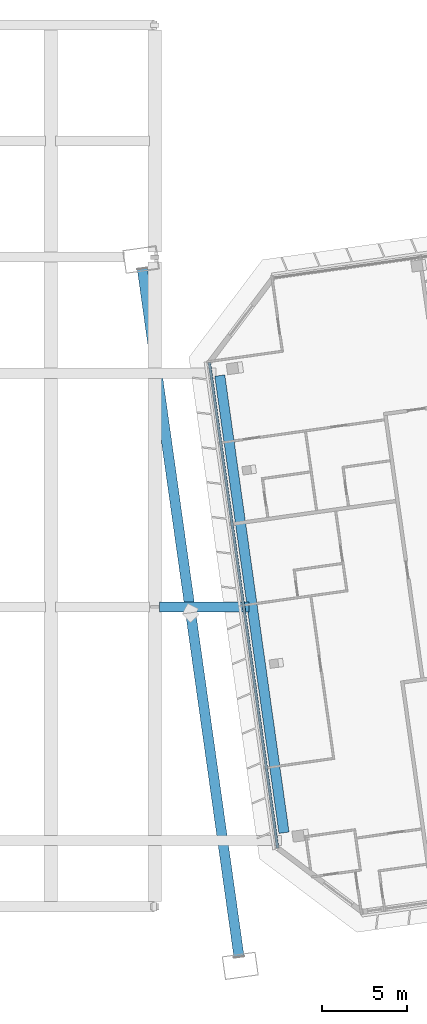
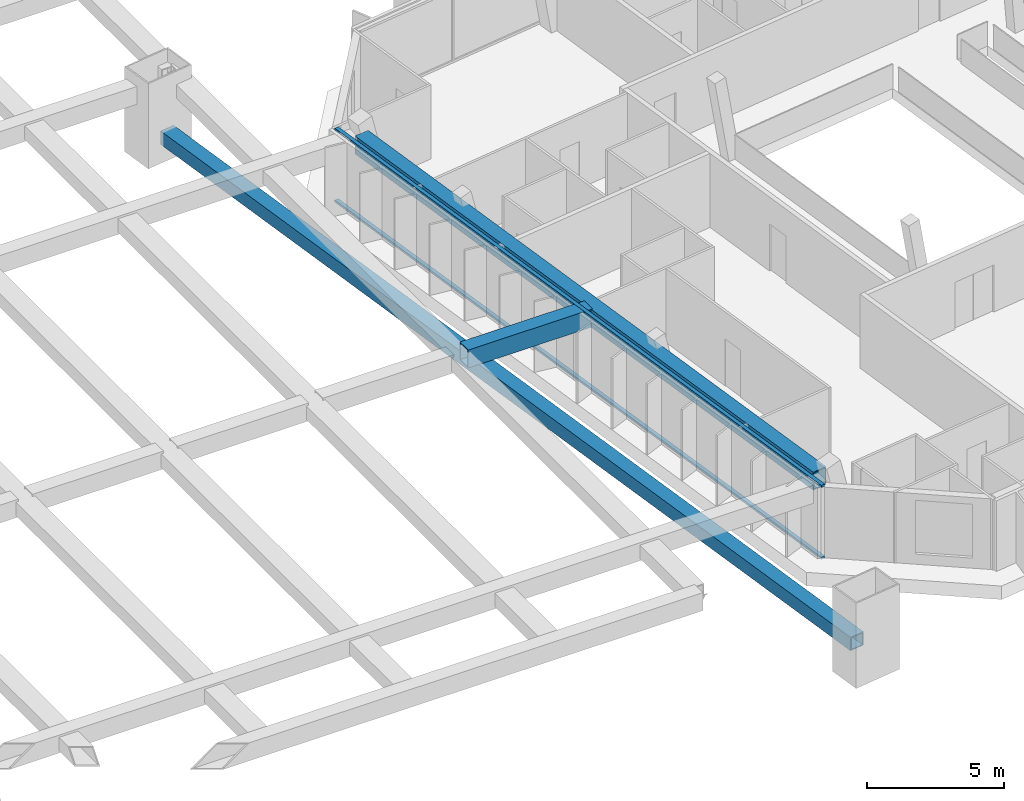
# One storey, part 13 of 36: 4 members, 1 beam, 1 element without a shape of its own.
"""IFC4 building model written with IfcOpenShell, lengths in metres."""

from ifc_helpers import new_model, si_unit, direction, frame, origin, origin_2d, place, context, subcontext, project, spatial, rectangle, hollow_rectangle, extrude, material, material_profile, profile_set, type_object, element, aggregate, save


model = new_model("IFC4")

# Units and contexts
model_context = context("Model", 3, precision=1e-05, world=origin(), true_north=direction((0.0, 1.0)))
body_context = subcontext(model_context, "Body", "Model", "MODEL_VIEW")
ifc_project = project(units=[si_unit("LENGTHUNIT", "METRE"), si_unit("AREAUNIT", "SQUARE_METRE"), si_unit("VOLUMEUNIT", "CUBIC_METRE"), si_unit("PLANEANGLEUNIT", "RADIAN"), si_unit("MASSUNIT", "GRAM", prefix="KILO")], contexts=[model_context])

# Site, building, storey
site_placement = place(None, origin())
site = spatial("IfcSite", under=ifc_project, at=site_placement, CompositionType="ELEMENT")
building_placement = place(site_placement, origin())
building = spatial("IfcBuilding", under=site, at=building_placement, Name="Mirante Cascada Hotel Towers", CompositionType="ELEMENT")
storey_placement = place(building_placement, frame((0.0, 0.0, 254.6)))
storey = spatial("IfcBuildingStorey", under=building, at=storey_placement, Name="L61", CompositionType="ELEMENT", Elevation=254.6)

# Beam
ifc_material_1 = material(Name="Steel ASTM A572 Gr 50", Category="steel")
ifc_material_profile_1 = material_profile(ifc_material_1, hollow_rectangle(XDim=0.6, YDim=0.8, WallThickness=0.04, at=origin_2d()), Name="Box beam 800x600x40 ASTM A572 Gr 50")
ifc_profile_set_1 = profile_set([ifc_material_profile_1], Name="Steel ASTM A572 Gr 50")
beam_type = type_object("IfcBeamType", Name="Box beam 800x600x40 ASTM A572 Gr 50", PredefinedType="BEAM", material=ifc_profile_set_1)
beam_placement = place(storey_placement, frame((19.8728, -17.1519, 2.9), z_axis=(-0.1391724, 0.9902682, 0.0), x_axis=(-0.9902682, -0.1391724, 0.0)))
element("IfcBeam", 1, at=beam_placement, inside=storey, type_object=beam_type, Name="Deck end beam T2 L62", PredefinedType="BEAM", context=body_context, shape_type="SweptSolid", body=[
    extrude(hollow_rectangle(XDim=0.6, YDim=0.8, WallThickness=0.04, at=origin_2d()), origin(), (0.0, 0.0, 1.0), 27.19),
])

# Members
ifc_material_2 = material(Name="Steel ASTM A572 Gr 50", Category="steel")
ifc_material_profile_2 = material_profile(ifc_material_2, hollow_rectangle(XDim=0.6, YDim=0.6, WallThickness=0.04, at=origin_2d()), Name="Box chord 600x600x40 ASTM A572 Gr 50")
ifc_profile_set_2 = profile_set([ifc_material_profile_2], Name="Steel ASTM A572 Gr 50")
member_type_1 = type_object("IfcMemberType", Name="Box chord 600x600x40 ASTM A572 Gr 50", PredefinedType="CHORD", material=ifc_profile_set_2)
member_1_placement = place(storey_placement, frame((17.2227, -24.4669, 1.0), z_axis=(-0.1391719, 0.9902682, 0.0), x_axis=(-0.9902682, -0.1391719, 0.0)))
element("IfcMember", 2, at=member_1_placement, inside=storey, type_object=member_type_1, Name="exochord T2 L61 1", PredefinedType="CHORD", context=body_context, shape_type="SweptSolid", body=[
    extrude(hollow_rectangle(XDim=0.6, YDim=0.6, WallThickness=0.04, at=origin_2d()), origin(), (0.0, 0.0, 1.0), 40.94),
])
ifc_material_3 = material(Name="Steel ASTM A572 Gr 50", Category="steel")
ifc_material_profile_3 = material_profile(ifc_material_3, hollow_rectangle(XDim=0.6, YDim=0.8, WallThickness=0.04, at=origin_2d()), Name="Box chord 800x600x40 ASTM A572 Gr 50")
ifc_profile_set_3 = profile_set([ifc_material_profile_3], Name="Steel ASTM A572 Gr 50")
member_type_2 = type_object("IfcMemberType", Name="Box chord 800x600x40 ASTM A572 Gr 50", PredefinedType="CHORD", material=ifc_profile_set_3)
member_2_placement = place(storey_placement, frame((12.5514, -3.8505, 2.9), z_axis=(1.0, 0.0, 0.0), x_axis=(0.0, 1.0, 0.0)))
element("IfcMember", 3, at=member_2_placement, inside=storey, type_object=member_type_2, Name="dchord sky park L62 27", PredefinedType="CHORD", context=body_context, shape_type="SweptSolid", body=[
    extrude(hollow_rectangle(XDim=0.6, YDim=0.8, WallThickness=0.04, at=origin_2d()), origin(), (0.0, 0.0, 1.0), 5.25),
])

# Curtain wall, members
ifc_material_4 = material(Name="Aluminium mullion and transom frame with clear laminated glass", Category="aluminium")
curtain_wall_type = type_object("IfcCurtainWallType", Name="End ribbon curtain wall ECW2", PredefinedType="NOTDEFINED", material=ifc_material_4)
curtain_wall_placement = place(storey_placement, origin())
curtain_wall = element("IfcCurtainWall", 4, at=curtain_wall_placement, inside=storey, type_object=curtain_wall_type, Name="Inner end wall T2 L61", PredefinedType="NOTDEFINED")
ifc_material_5 = material(Name="Anodised aluminium extrusion", Category="aluminium")
ifc_material_profile_4 = material_profile(ifc_material_5, rectangle(XDim=0.16, YDim=0.1, at=origin_2d()), Name="ECW2 TRANSOM 100x160")
ifc_profile_set_4 = profile_set([ifc_material_profile_4], Name="Anodised aluminium extrusion")
member_type_3 = type_object("IfcMemberType", Name="ECW2 transom 100x160", PredefinedType="USERDEFINED", material=ifc_profile_set_4)
member_3_placement = place(storey_placement, frame((15.4758, 10.5385, 0.05), z_axis=(0.1391723, -0.9902682, 0.0), x_axis=(0.9902682, 0.1391723, 0.0)))
member_3 = element("IfcMember", 5, at=member_3_placement, type_object=member_type_3, Name="ECW2 sill transom", ObjectType="TRANSOM", PredefinedType="USERDEFINED", context=body_context, shape_type="SweptSolid", body=[
    extrude(rectangle(XDim=0.16, YDim=0.1, at=origin_2d()), origin(), (0.0, 0.0, 1.0), 28.8757),
])
member_4_placement = place(storey_placement, frame((15.4758, 10.5385, 3.25), z_axis=(0.1391723, -0.9902682, 0.0), x_axis=(0.9902682, 0.1391723, 0.0)))
member_4 = element("IfcMember", 6, at=member_4_placement, type_object=member_type_3, Name="ECW2 head transom", ObjectType="TRANSOM", PredefinedType="USERDEFINED", context=body_context, shape_type="SweptSolid", body=[
    extrude(rectangle(XDim=0.16, YDim=0.1, at=origin_2d()), origin(), (0.0, 0.0, 1.0), 28.8757),
])
aggregate(curtain_wall, [member_3, member_4])

save(model, "model.ifc")
